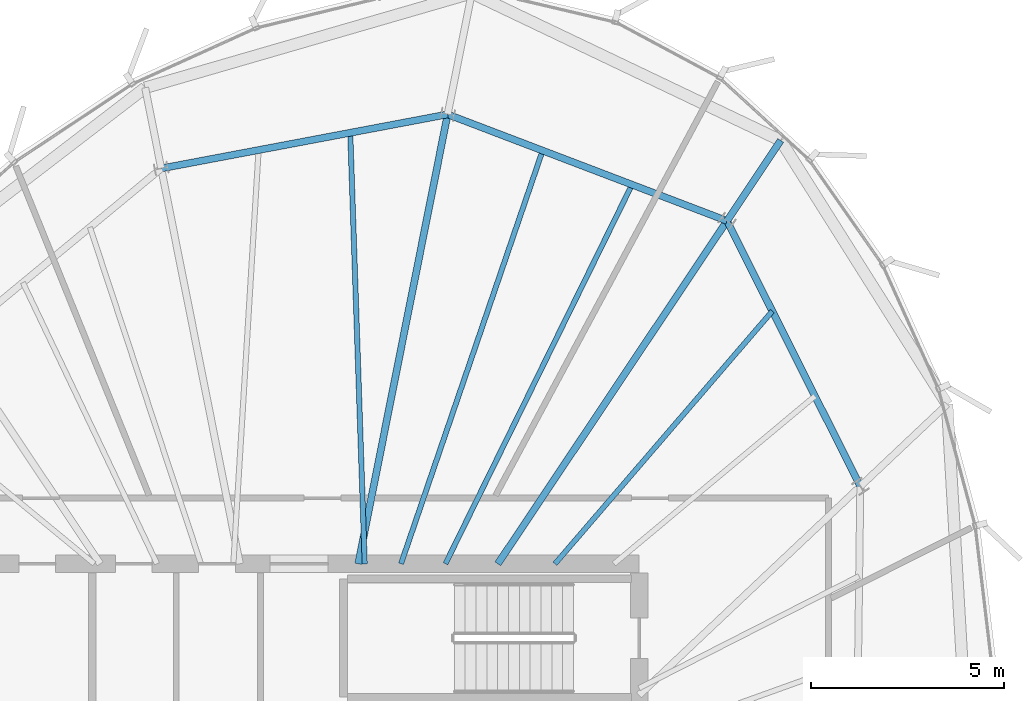
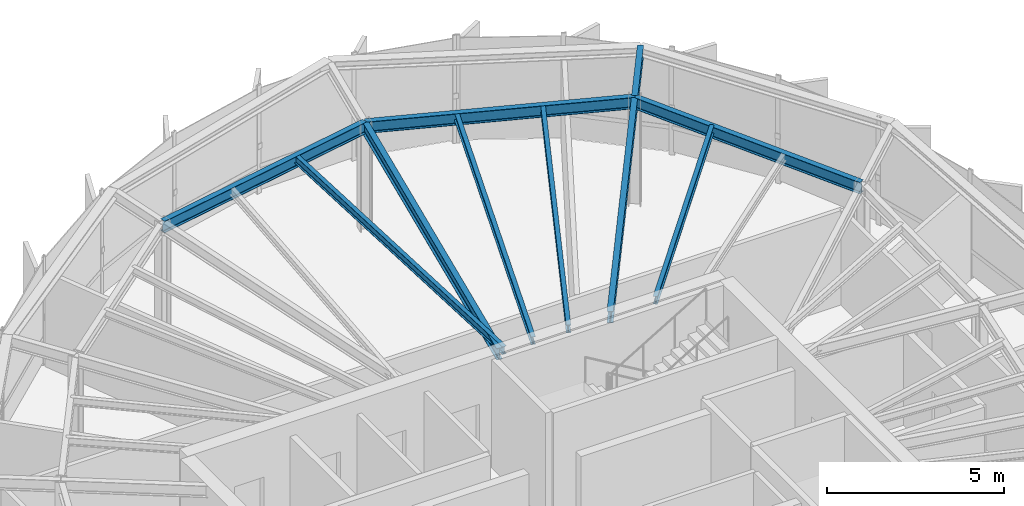
# One storey, part 16 of 27: 10 beams.
"""IFC4 building model written with IfcOpenShell, lengths in metres."""

from ifc_helpers import new_model, si_unit, direction, frame, origin, origin_2d, place, context, subcontext, project, spatial, i_section, extrude, source, transform, mapped, material, material_profile, profile_set, type_object, element, save


model = new_model("IFC4")

# Units and contexts
model_context = context("Model", 3, precision=1e-05, world=origin(), true_north=direction((0.0, 1.0)))
body_context = subcontext(model_context, "Body", "Model", "MODEL_VIEW")
ifc_project = project(units=[si_unit("LENGTHUNIT", "METRE"), si_unit("AREAUNIT", "SQUARE_METRE"), si_unit("VOLUMEUNIT", "CUBIC_METRE"), si_unit("PLANEANGLEUNIT", "RADIAN"), si_unit("MASSUNIT", "GRAM", prefix="KILO"), si_unit("THERMODYNAMICTEMPERATUREUNIT", "KELVIN")], contexts=[model_context])

# Site, building, storey
site_placement = place(None, origin())
site = spatial("IfcSite", under=ifc_project, at=site_placement, CompositionType="ELEMENT")
building_placement = place(site_placement, origin())
building = spatial("IfcBuilding", under=site, at=building_placement, Name="Kethvar Cultural Tower", CompositionType="ELEMENT")
storey_placement = place(building_placement, frame((0.0, 0.0, 312.300048828125)))
storey = spatial("IfcBuildingStorey", under=building, at=storey_placement, Name="L83", CompositionType="ELEMENT", Elevation=312.300048828125)

# Beams
ifc_material = material(Name="Steel S355J2", Category="steel")
ifc_material_profile_1 = material_profile(ifc_material, i_section(OverallWidth=0.135009765625, OverallDepth=0.27001953125, WebThickness=0.006591796875, FlangeThickness=0.01025390625, FilletRadius=0.014892578125, at=origin_2d()), Name="Steel S355J2 — IPE270")
ifc_profile_set_1 = profile_set([ifc_material_profile_1], Name="Steel S355J2 — IPE270")
beam_type_1 = type_object("IfcBeamType", Name="BM-J270", PredefinedType="JOIST", material=ifc_profile_set_1)
shared_shape_1 = source(origin(), body_context, "Body", "SweptSolid", [
    extrude(i_section(OverallWidth=0.135009765625, OverallDepth=0.27001953125, WebThickness=0.006591796875, FlangeThickness=0.01025390625, FilletRadius=0.014892578125, at=origin_2d()), origin(), (0.0, 0.0, 1.0), 8.6259765625),
])
beam_1_placement = place(storey_placement, frame((53.42333984375, 35.5, 3.597900390625), z_axis=(0.65210499689, 0.758128665222, 0.0), x_axis=(-0.758128665222, 0.65210499689, 0.0)))
element("IfcBeam", 1, at=beam_1_placement, inside=storey, type_object=beam_type_1, Name="L83 Composite Floor Joist J-02B", PredefinedType="JOIST", context=body_context, shape_type="MappedRepresentation", body=[
    mapped(shared_shape_1, transform((0.0, 0.0, 0.0), scale=1.0)),
])
shared_shape_2 = source(origin(), body_context, "Body", "SweptSolid", [
    extrude(i_section(OverallWidth=0.135009765625, OverallDepth=0.27001953125, WebThickness=0.006591796875, FlangeThickness=0.01025390625, FilletRadius=0.014892578125, at=origin_2d()), origin(), (0.0, 0.0, 1.0), 10.935791015625),
])
beam_2_placement = place(storey_placement, frame((50.5888671875, 35.5, 3.597900390625), z_axis=(0.441498236677, 0.897262117227, 0.0), x_axis=(-0.897262117227, 0.441498236677, 0.0)))
element("IfcBeam", 2, at=beam_2_placement, inside=storey, type_object=beam_type_1, Name="L83 Composite Floor Joist J-03A", PredefinedType="JOIST", context=body_context, shape_type="MappedRepresentation", body=[
    mapped(shared_shape_2, transform((0.0, 0.0, 0.0), scale=1.0)),
])
shared_shape_3 = source(origin(), body_context, "Body", "SweptSolid", [
    extrude(i_section(OverallWidth=0.135009765625, OverallDepth=0.27001953125, WebThickness=0.006591796875, FlangeThickness=0.01025390625, FilletRadius=0.014892578125, at=origin_2d()), origin(), (0.0, 0.0, 1.0), 11.304931640625),
])
beam_3_placement = place(storey_placement, frame((49.438720703125, 35.5, 3.597900390625), z_axis=(0.324179110764, 0.945995720997, 0.0), x_axis=(-0.945995720997, 0.324179110764, 0.0)))
element("IfcBeam", 3, at=beam_3_placement, inside=storey, type_object=beam_type_1, Name="L83 Composite Floor Joist J-03B", PredefinedType="JOIST", context=body_context, shape_type="MappedRepresentation", body=[
    mapped(shared_shape_3, transform((0.0, 0.0, 0.0), scale=1.0)),
])
shared_shape_4 = source(origin(), body_context, "Body", "SweptSolid", [
    extrude(i_section(OverallWidth=0.135009765625, OverallDepth=0.27001953125, WebThickness=0.006591796875, FlangeThickness=0.01025390625, FilletRadius=0.014892578125, at=origin_2d()), origin(), (0.0, 0.0, 1.0), 11.162109375),
])
beam_4_placement = place(storey_placement, frame((48.5, 35.5, 3.597900390625), z_axis=(-0.0335959409, 0.999435497046, 0.0), x_axis=(-0.999435497046, -0.0335959409, 0.0)))
element("IfcBeam", 4, at=beam_4_placement, inside=storey, type_object=beam_type_1, Name="L83 Composite Floor Joist J-04A", PredefinedType="JOIST", context=body_context, shape_type="MappedRepresentation", body=[
    mapped(shared_shape_4, transform((0.0, 0.0, 0.0), scale=1.0)),
])
ifc_material_profile_2 = material_profile(ifc_material, i_section(OverallWidth=0.179931640625, OverallDepth=0.39990234375, WebThickness=0.008544921875, FlangeThickness=0.013427734375, FilletRadius=0.02099609375, at=origin_2d()), Name="Steel S355J2 — IPE400")
ifc_profile_set_2 = profile_set([ifc_material_profile_2], Name="Steel S355J2 — IPE400")
beam_type_2 = type_object("IfcBeamType", Name="BM-IPE400", PredefinedType="BEAM", material=ifc_profile_set_2)
shared_shape_5 = source(origin(), body_context, "Body", "SweptSolid", [
    extrude(i_section(OverallWidth=0.179931640625, OverallDepth=0.39990234375, WebThickness=0.008544921875, FlangeThickness=0.013427734375, FilletRadius=0.02099609375, at=origin_2d()), origin(), (0.0, 0.0, 1.0), 10.673828125),
])
beam_5_placement = place(storey_placement, frame((51.945068359375, 35.5, 3.532958984375), z_axis=(0.555576086183, 0.831465701314, 0.0), x_axis=(-0.831465701314, 0.555576086183, 0.0)))
element("IfcBeam", 5, at=beam_5_placement, inside=storey, type_object=beam_type_2, Name="L83 Primary Radial Beam RB-03", PredefinedType="BEAM", context=body_context, shape_type="MappedRepresentation", body=[
    mapped(shared_shape_5, transform((0.0, 0.0, 0.0), scale=1.0)),
])
shared_shape_6 = source(origin(), body_context, "Body", "SweptSolid", [
    extrude(i_section(OverallWidth=0.179931640625, OverallDepth=0.39990234375, WebThickness=0.008544921875, FlangeThickness=0.013427734375, FilletRadius=0.02099609375, at=origin_2d()), origin(), (0.0, 0.0, 1.0), 11.859375),
])
beam_6_placement = place(storey_placement, frame((48.33154296875, 35.5, 3.532958984375), z_axis=(0.195094640585, 0.980784421377, 0.0), x_axis=(-0.980784421377, 0.195094640585, 0.0)))
element("IfcBeam", 6, at=beam_6_placement, inside=storey, type_object=beam_type_2, Name="L83 Primary Radial Beam RB-04", PredefinedType="BEAM", context=body_context, shape_type="MappedRepresentation", body=[
    mapped(shared_shape_6, transform((0.0, 0.0, 0.0), scale=1.0)),
])
shared_shape_7 = source(origin(), body_context, "Body", "SweptSolid", [
    extrude(i_section(OverallWidth=0.179931640625, OverallDepth=0.39990234375, WebThickness=0.008544921875, FlangeThickness=0.013427734375, FilletRadius=0.02099609375, at=origin_2d()), origin(), (0.0, 0.0, 1.0), 7.68701171875),
])
beam_7_placement = place(storey_placement, frame((61.32568359375, 37.505859375, 3.532958984375), z_axis=(-0.448864354142, 0.893599905763, 0.0), x_axis=(-0.893599905763, -0.448864354142, 0.0)))
element("IfcBeam", 7, at=beam_7_placement, inside=storey, type_object=beam_type_2, Name="L83 Column Ring Tie Beam CR-02", PredefinedType="BEAM", context=body_context, shape_type="MappedRepresentation", body=[
    mapped(shared_shape_7, transform((0.0, 0.0, 0.0), scale=1.0)),
])
shared_shape_8 = source(origin(), body_context, "Body", "SweptSolid", [
    extrude(i_section(OverallWidth=0.179931640625, OverallDepth=0.39990234375, WebThickness=0.008544921875, FlangeThickness=0.013427734375, FilletRadius=0.02099609375, at=origin_2d()), origin(), (0.0, 0.0, 1.0), 7.737548828125),
])
beam_8_placement = place(storey_placement, frame((57.875244140625, 44.375, 3.532958984375), z_axis=(-0.934388230776, 0.356256416347, 0.0), x_axis=(-0.356256416347, -0.934388230776, 0.0)))
element("IfcBeam", 8, at=beam_8_placement, inside=storey, type_object=beam_type_2, Name="L83 Column Ring Tie Beam CR-03", PredefinedType="BEAM", context=body_context, shape_type="MappedRepresentation", body=[
    mapped(shared_shape_8, transform((0.0, 0.0, 0.0), scale=1.0)),
])
shared_shape_9 = source(origin(), body_context, "Body", "SweptSolid", [
    extrude(i_section(OverallWidth=0.179931640625, OverallDepth=0.39990234375, WebThickness=0.008544921875, FlangeThickness=0.013427734375, FilletRadius=0.02099609375, at=origin_2d()), origin(), (0.0, 0.0, 1.0), 7.543212890625),
])
beam_9_placement = place(storey_placement, frame((50.645263671875, 47.131591796875, 3.532958984375), z_axis=(-0.982646853086, -0.185486285532, 0.0), x_axis=(0.185486285532, -0.982646853086, 0.0)))
element("IfcBeam", 9, at=beam_9_placement, inside=storey, type_object=beam_type_2, Name="L83 Column Ring Tie Beam CR-04", PredefinedType="BEAM", context=body_context, shape_type="MappedRepresentation", body=[
    mapped(shared_shape_9, transform((0.0, 0.0, 0.0), scale=1.0)),
])
shared_shape_10 = source(origin(), body_context, "Body", "SweptSolid", [
    extrude(i_section(OverallWidth=0.179931640625, OverallDepth=0.39990234375, WebThickness=0.008544921875, FlangeThickness=0.013427734375, FilletRadius=0.02099609375, at=origin_2d()), origin(), (0.0, 0.0, 1.0), 2.501708984375),
])
beam_10_placement = place(storey_placement, frame((57.875244140625, 44.375, 3.532958984375), z_axis=(0.555578194531, 0.831464292536, 0.0), x_axis=(-0.831464292536, 0.555578194531, 0.0)))
element("IfcBeam", 10, at=beam_10_placement, inside=storey, type_object=beam_type_2, Name="L83 Perimeter Cantilever Beam RC-03", PredefinedType="BEAM", context=body_context, shape_type="MappedRepresentation", body=[
    mapped(shared_shape_10, transform((0.0, 0.0, 0.0), scale=1.0)),
])

save(model, "model.ifc")
